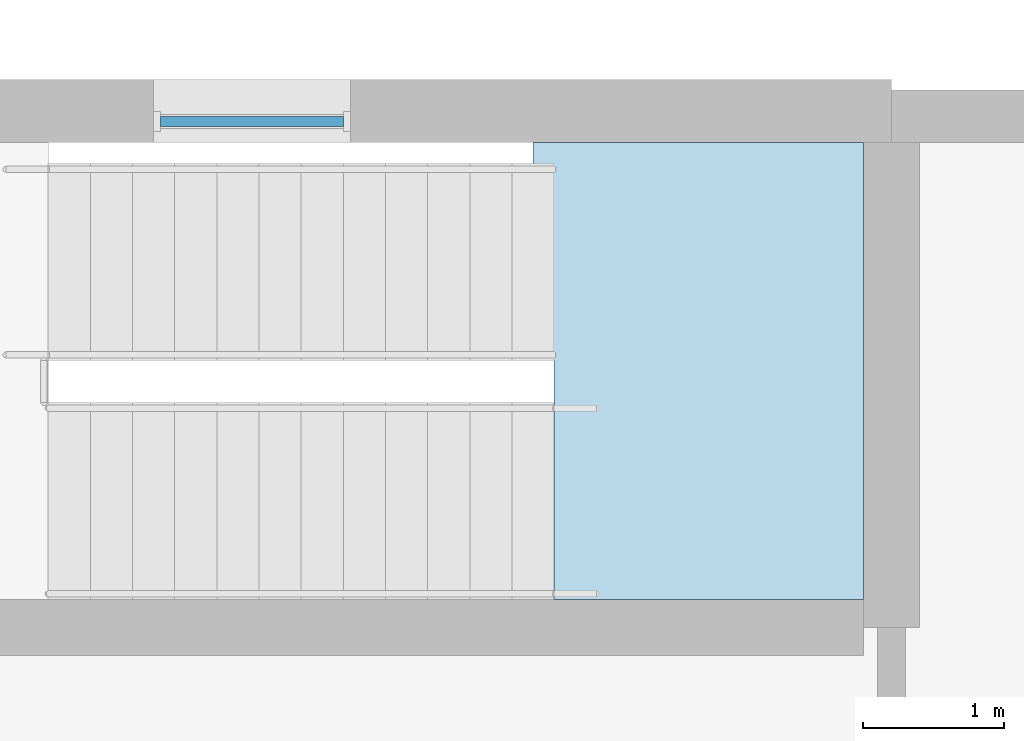
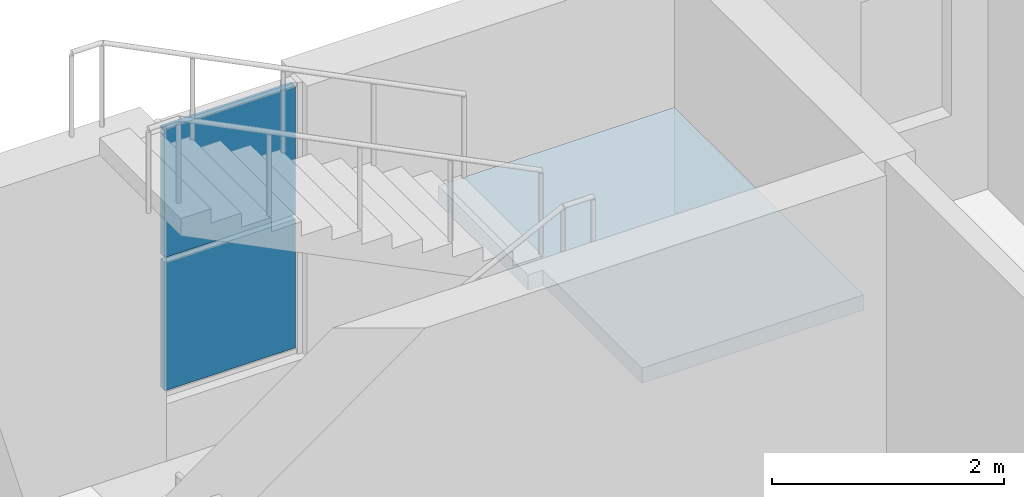
# One storey, part 46 of 94: 2 plates, 1 slab, 2 elements without a shape of their own.
"""IFC4 building model written with IfcOpenShell, lengths in metres."""

from ifc_helpers import new_model, si_unit, direction, frame, origin, origin_2d, place, context, subcontext, project, spatial, polyline, rectangle, outline, extrude, material, layer, layer_set, type_object, element, aggregate, save


model = new_model("IFC4")

# Units and contexts
model_context = context("Model", 3, precision=1e-05, world=origin(), true_north=direction((0.0, 1.0)))
body_context = subcontext(model_context, "Body", "Model", "MODEL_VIEW")
ifc_project = project(units=[si_unit("LENGTHUNIT", "METRE"), si_unit("AREAUNIT", "SQUARE_METRE"), si_unit("VOLUMEUNIT", "CUBIC_METRE"), si_unit("PLANEANGLEUNIT", "RADIAN"), si_unit("MASSUNIT", "GRAM", prefix="KILO")], contexts=[model_context])

# Site, building, storey
site_placement = place(None, origin())
site = spatial("IfcSite", under=ifc_project, at=site_placement, CompositionType="ELEMENT")
building_placement = place(site_placement, origin())
building = spatial("IfcBuilding", under=site, at=building_placement, Name="Yavir Park General Hospital", CompositionType="ELEMENT")
storey_placement = place(building_placement, frame((0.0, 0.0, 4.5)))
storey = spatial("IfcBuildingStorey", under=building, at=storey_placement, Name="L01", CompositionType="ELEMENT", Elevation=4.5)

# Stair, slab
ifc_material_1 = material(Name="Concrete C30/37", Category="concrete")
stair_type = type_object("IfcStairType", Name="Patient escape stair, 26 risers of 150 mm, 1400 mm flights", PredefinedType="HALF_TURN_STAIR", material=ifc_material_1)
stair_placement = place(storey_placement, origin())
stair = element("IfcStair", 1, at=stair_placement, inside=storey, type_object=stair_type, Name="Stair PN2, L01 to L02", PredefinedType="HALF_TURN_STAIR")
ifc_material_2 = material(Name="Concrete C30/37", Category="concrete")
ifc_layer_1 = layer(ifc_material_2, 0.159912109375)
ifc_layer_set_1 = layer_set([ifc_layer_1], Name="Concrete C30/37")
slab_type = type_object("IfcSlabType", Name="Patient escape stair half landing, reinforced concrete 160 mm", PredefinedType="LANDING", material=ifc_layer_set_1)
slab_placement = place(storey_placement, frame((0.0, 0.0, 1.7900390625)))
slab = element("IfcSlab", 2, at=slab_placement, type_object=slab_type, Name="PN2 landing 1", PredefinedType="LANDING", context=body_context, shape_type="SweptSolid", body=[
    extrude(outline(polyline([(115.198486328125, 30.199951171875), (117.39990234375, 30.199951171875), (117.39990234375, 33.449951171875), (115.050048828125, 33.449951171875), (115.050048828125, 31.89990234375), (115.198486328125, 31.89990234375), (115.198486328125, 30.199951171875)])), origin(), (0.0, 0.0, 1.0), 0.159912109375),
])
aggregate(stair, [slab])

# Curtain wall, plates
ifc_material_3 = material(Name="Aluminium curtain wall frame with insulated glazing", Category="aluminium")
curtain_wall_type = type_object("IfcCurtainWallType", Name="Stair light slot, podium, 2850 high, 1400 module", PredefinedType="NOTDEFINED", material=ifc_material_3)
curtain_wall_placement = place(storey_placement, origin())
curtain_wall = element("IfcCurtainWall", 3, at=curtain_wall_placement, inside=storey, type_object=curtain_wall_type, Name="CW9 L01-006", PredefinedType="NOTDEFINED")
ifc_material_4 = material(Name="Fire-resisting glazed unit 70 mm")
ifc_layer_2 = layer(ifc_material_4, 0.070068359375)
ifc_layer_set_2 = layer_set([ifc_layer_2], Name="Fire-resisting glazed unit 70 mm")
plate_type = type_object("IfcPlateType", Name="Stair light slot, podium, 2850 high panel 70", PredefinedType="CURTAIN_PANEL", material=ifc_layer_set_2)
plate_1_placement = place(storey_placement, frame((113.050048828125, 33.60009765625, 0.64990234375), z_axis=(0.0, 0.0, 1.0), x_axis=(1.0, 0.0, 0.0)))
plate_1 = element("IfcPlate", 4, at=plate_1_placement, type_object=plate_type, Name="CW9 panel 1.1", PredefinedType="CURTAIN_PANEL", context=body_context, shape_type="SweptSolid", body=[
    extrude(rectangle(XDim=1.300048828125, YDim=0.070068359375, at=origin_2d()), origin(), (0.0, 0.0, 1.0), 1.35009765625),
])
plate_2_placement = place(storey_placement, frame((113.050048828125, 33.60009765625, 2.050048828125), z_axis=(0.0, 0.0, 1.0), x_axis=(1.0, 0.0, 0.0)))
plate_2 = element("IfcPlate", 5, at=plate_2_placement, type_object=plate_type, Name="CW9 panel 1.2", PredefinedType="CURTAIN_PANEL", context=body_context, shape_type="SweptSolid", body=[
    extrude(rectangle(XDim=1.300048828125, YDim=0.070068359375, at=origin_2d()), origin(), (0.0, 0.0, 1.0), 1.35009765625),
])
aggregate(curtain_wall, [plate_1, plate_2])

save(model, "model.ifc")
